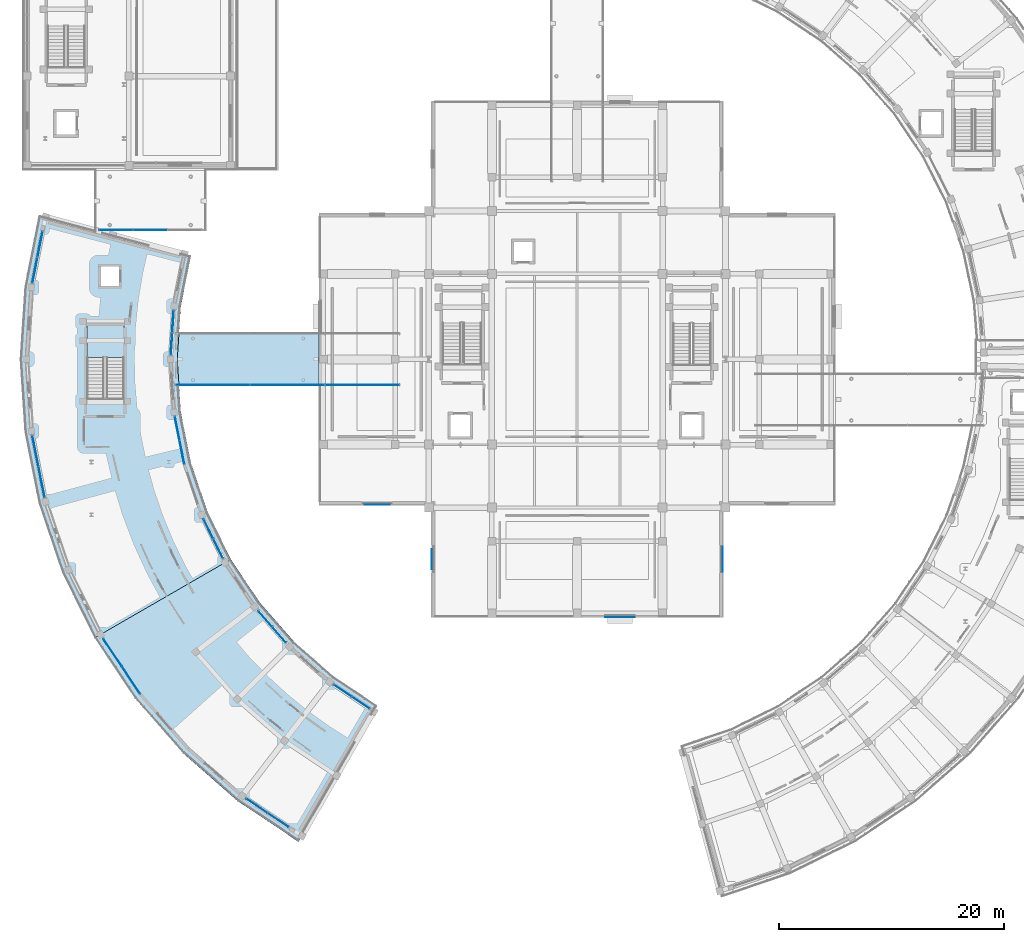
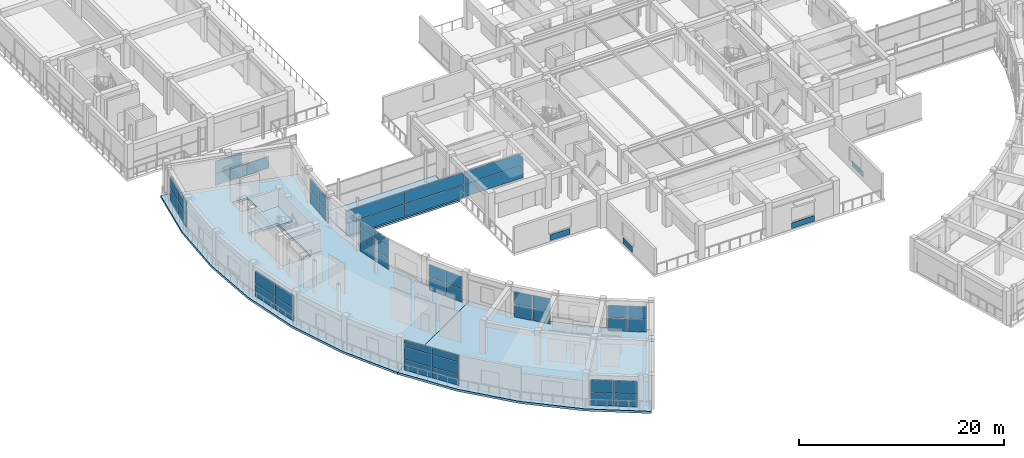
# One storey, part 38 of 70: 53 plates, 4 slabs, 12 elements without a shape of their own.
"""IFC4 building model written with IfcOpenShell, lengths in metres."""

import ifcopenshell
import ifcopenshell.guid

model = None  # the IFC model being written
_history = None  # IfcOwnerHistory: only IFC2X3 demands one
_inside = {}  # id of a spatial element -> (the spatial element, [elements in it])
_under = {}  # id of a project, library or spatial element -> (it, [spatial elements below it])
_declared = {}  # id of a project -> (the project, [libraries it declares])
_typed = {}  # id of a type object -> (the type object, [elements of that type])
_made_of = {}  # id of a material, layer set ... -> (it, [elements and type objects made of it])


def new_model(schema):
    """Start an empty IFC model of exactly this schema.

    Asked for "IFC4X3", IfcOpenShell would pick the latest addendum, in which some entities
    have other attributes; the version numbers below select the first issue.
    IFC2X3 requires an IfcOwnerHistory on every rooted entity: one is made here for all.
    """
    global model, _history
    if schema == "IFC4X3":
        model = ifcopenshell.file(schema_version=(4, 3, 0, 0))
    else:
        model = ifcopenshell.file(schema=schema)
    _inside.clear()
    _under.clear()
    _declared.clear()
    _typed.clear()
    _made_of.clear()
    _history = None
    if model.schema == "IFC2X3":
        org = make("IfcOrganization", Name="unknown")
        user = make(
            "IfcPersonAndOrganization",
            ThePerson=make("IfcPerson", FamilyName="unknown"),
            TheOrganization=org,
        )
        app = make(
            "IfcApplication",
            ApplicationDeveloper=org,
            Version="unknown",
            ApplicationFullName="unknown",
            ApplicationIdentifier="unknown",
        )
        _history = make(
            "IfcOwnerHistory",
            OwningUser=user,
            OwningApplication=app,
            ChangeAction="ADDED",
            CreationDate=0,
        )
    return model


def make(cls, **values):
    """One entity of the class cls with the attributes given. An attribute that is None is left unset."""
    return model.create_entity(
        cls, **{name: value for name, value in values.items() if value is not None}
    )


def rooted(cls, **values):
    """An entity with a GlobalId (a new one), such as an element, a storey or a relation."""
    return make(cls, GlobalId=ifcopenshell.guid.new(), OwnerHistory=_history, **values)


def si_unit(unit_type, name, prefix=None):
    """IfcSIUnit, for example si_unit("LENGTHUNIT", "METRE", prefix="MILLI")."""
    return make("IfcSIUnit", UnitType=unit_type, Prefix=prefix, Name=name)


def assignment(units):
    """IfcUnitAssignment: the units of a project."""
    return None if units is None else make("IfcUnitAssignment", Units=units)


def point(xyz):
    """IfcCartesianPoint."""
    return None if xyz is None else make("IfcCartesianPoint", Coordinates=xyz)


def direction(xyz):
    """IfcDirection."""
    return None if xyz is None else make("IfcDirection", DirectionRatios=xyz)


def frame(location, z_axis=None, x_axis=None):
    """IfcAxis2Placement3D, a coordinate frame: its origin and axes. An axis left out is left unset."""
    return make(
        "IfcAxis2Placement3D",
        Location=point(location),
        Axis=direction(z_axis),
        RefDirection=direction(x_axis),
    )


def frame_2d(location, x_axis=None):
    """IfcAxis2Placement2D, a coordinate frame in the plane: its origin and x axis."""
    return make(
        "IfcAxis2Placement2D", Location=point(location), RefDirection=direction(x_axis)
    )


def origin():
    """The frame at (0, 0, 0) with its axes left unset."""
    return frame((0.0, 0.0, 0.0))


def origin_2d():
    """The frame at (0, 0) in the plane with its x axis left unset."""
    return frame_2d((0.0, 0.0))


def place(relative_to, where):
    """IfcLocalPlacement: puts the frame where relative to a parent placement (None: the world)."""
    return make(
        "IfcLocalPlacement", PlacementRelTo=relative_to, RelativePlacement=where
    )


def context(
    kind, dimensions, precision=None, world=None, true_north=None, identifier=None
):
    """IfcGeometricRepresentationContext, for example the 3D "Model" context."""
    return make(
        "IfcGeometricRepresentationContext",
        ContextIdentifier=identifier,
        ContextType=kind,
        CoordinateSpaceDimension=dimensions,
        Precision=precision,
        WorldCoordinateSystem=world,
        TrueNorth=true_north,
    )


def subcontext(parent, identifier, kind, view, scale=None):
    """IfcGeometricRepresentationSubContext, for example "Body" below "Model"."""
    return make(
        "IfcGeometricRepresentationSubContext",
        ContextIdentifier=identifier,
        ContextType=kind,
        ParentContext=parent,
        TargetScale=scale,
        TargetView=view,
    )


def project(units=None, contexts=None):
    """IfcProject with its units and contexts."""
    return rooted(
        "IfcProject",
        Name="project",
        RepresentationContexts=contexts,
        UnitsInContext=assignment(units),
    )


def spatial(cls, under=None, at=None, **own):
    """A site, building, storey or space (cls), placed at a placement, below another one or the project."""
    s = rooted(cls, ObjectPlacement=at, **own)
    if under is not None:
        _under.setdefault(under.id(), (under, []))[1].append(s)
    return s


def polyline(points):
    """IfcPolyline through the points."""
    return make("IfcPolyline", Points=[point(p) for p in points])


def profile(cls, at=None, kind="AREA", **sizes):
    """A parametric profile (cls). Its sizes go by their IFC names, for example OverallWidth=200.0."""
    return make(cls, ProfileType=kind, Position=at, **sizes)


def rectangle(**sizes):
    """IfcRectangleProfileDef."""
    return profile("IfcRectangleProfileDef", **sizes)


def outline(outer, holes=None, kind="AREA"):
    """IfcArbitraryClosedProfileDef: a profile drawn as a closed curve; with holes, ...WithVoids."""
    if holes is None:
        return make("IfcArbitraryClosedProfileDef", ProfileType=kind, OuterCurve=outer)
    return make(
        "IfcArbitraryProfileDefWithVoids",
        ProfileType=kind,
        OuterCurve=outer,
        InnerCurves=holes,
    )


def extrude(swept, where, along, depth):
    """IfcExtrudedAreaSolid: the profile swept, set in the frame where, extruded along a direction by depth."""
    return make(
        "IfcExtrudedAreaSolid",
        SweptArea=swept,
        Position=where,
        ExtrudedDirection=direction(along),
        Depth=depth,
    )


def shape(context_of_items, identifier, shape_type, items):
    """IfcShapeRepresentation: the items that make up one representation, for example the "Body"."""
    return make(
        "IfcShapeRepresentation",
        ContextOfItems=context_of_items,
        RepresentationIdentifier=identifier,
        RepresentationType=shape_type,
        Items=items,
    )


def material(Name=None, Category=None):
    """IfcMaterial."""
    return make("IfcMaterial", Name=Name, Category=Category)


def layer(
    of_material, thickness, ventilated=None, Name=None, Category=None, Priority=None
):
    """IfcMaterialLayer: one layer of a wall or slab, of a material (None: an air gap)."""
    return make(
        "IfcMaterialLayer",
        Material=of_material,
        LayerThickness=thickness,
        IsVentilated=ventilated,
        Name=Name,
        Category=Category,
        Priority=Priority,
    )


def layer_set(layers, Name=None):
    """IfcMaterialLayerSet."""
    return make("IfcMaterialLayerSet", MaterialLayers=layers, LayerSetName=Name)


def made_of(thing, what):
    """Note that an element or type object is made of a material, layer set ...; save() writes the relation."""
    if what is not None:
        _made_of.setdefault(what.id(), (what, []))[1].append(thing)
    return thing


def type_object(cls, material=None, **own):
    """A type object (cls), such as IfcWallType, which elements share."""
    return made_of(rooted(cls, **own), material)


def element(
    cls,
    number,
    at=None,
    inside=None,
    cuts=None,
    type_object=None,
    material=None,
    context=None,
    identifier="Body",
    shape_type=None,
    held_by="IfcProductDefinitionShape",
    body=None,
    shapes=None,
    **own,
):
    """One element of the class cls, such as IfcWall. Its Tag is "e" and its number.

    at: its placement. inside: the storey or other place that contains it. cuts: it is an
    opening in that element (IfcRelVoidsElement). A single representation is given by context,
    identifier, shape_type and body (its items); several are given by shapes. held_by: the class
    of the entity that holds the representations. save() writes the other relations.
    """
    e = rooted(cls, Tag="e%d" % number, ObjectPlacement=at, **own)
    if body is not None:
        shapes = [shape(context, identifier, shape_type, body)]
    if shapes is not None:
        e.Representation = make(held_by, Representations=shapes)
    if inside is not None:
        _inside.setdefault(inside.id(), (inside, []))[1].append(e)
    if cuts is not None:
        rooted(
            "IfcRelVoidsElement", RelatingBuildingElement=cuts, RelatedOpeningElement=e
        )
    if type_object is not None:
        _typed.setdefault(type_object.id(), (type_object, []))[1].append(e)
    return made_of(e, material)


def aggregate(whole, parts):
    """IfcRelAggregates: a whole, such as a stair, and the parts it consists of."""
    return rooted("IfcRelAggregates", RelatingObject=whole, RelatedObjects=parts)


def save(model, path):
    """Write the relations noted so far, then the file.

    IfcRelAggregates (storeys below a building ...), IfcRelContainedInSpatialStructure (elements
    in a storey), IfcRelDefinesByType, IfcRelAssociatesMaterial and IfcRelDeclares: one each for
    every whole, place, type object, material and project.
    """
    for whole, parts in _under.values():
        aggregate(whole, parts)
    for where, things in _inside.values():
        rooted(
            "IfcRelContainedInSpatialStructure",
            RelatedElements=things,
            RelatingStructure=where,
        )
    for kind, things in _typed.values():
        rooted("IfcRelDefinesByType", RelatedObjects=things, RelatingType=kind)
    for what, things in _made_of.values():
        rooted("IfcRelAssociatesMaterial", RelatedObjects=things, RelatingMaterial=what)
    for by, libraries in _declared.values():
        rooted("IfcRelDeclares", RelatingContext=by, RelatedDefinitions=libraries)
    model.write(path)


model = new_model("IFC4")

# Units and contexts
model_context = context("Model", 3, precision=1e-05, world=origin(), true_north=direction((0.0, 1.0)))
body_context = subcontext(model_context, "Body", "Model", "MODEL_VIEW")
ifc_project = project(units=[si_unit("LENGTHUNIT", "METRE"), si_unit("AREAUNIT", "SQUARE_METRE"), si_unit("VOLUMEUNIT", "CUBIC_METRE"), si_unit("PLANEANGLEUNIT", "RADIAN"), si_unit("MASSUNIT", "GRAM", prefix="KILO")], contexts=[model_context])

# Site, building, storey
site_placement = place(None, origin())
site = spatial("IfcSite", under=ifc_project, at=site_placement, CompositionType="ELEMENT")
building_placement = place(site_placement, origin())
building = spatial("IfcBuilding", under=site, at=building_placement, Name="Saryqyr Civic Hall", CompositionType="ELEMENT")
storey_placement = place(building_placement, frame((0.0, 0.0, 13.199951171875)))
storey = spatial("IfcBuildingStorey", under=building, at=storey_placement, Name="L03", CompositionType="ELEMENT", Elevation=13.199951171875)

# Curtain wall, plates
ifc_material_1 = material(Name="Anodised aluminium and triple low-E glass", Category="aluminium")
curtain_wall_type_1 = type_object("IfcCurtainWallType", Name="ENV-CW-STD-28", PredefinedType="NOTDEFINED", material=ifc_material_1)
curtain_wall_1_placement = place(storey_placement, origin())
curtain_wall_1 = element("IfcCurtainWall", 1, at=curtain_wall_1_placement, inside=storey, type_object=curtain_wall_type_1, Name="Curtain wall V4-CWO-L03-00", PredefinedType="NOTDEFINED")
ifc_material_2 = material(Name="Triple low-E insulated glazing", Category="glass")
ifc_layer_1 = layer(ifc_material_2, 0.053955078125, Name="Triple low-E insulated glazing")
ifc_layer_set_1 = layer_set([ifc_layer_1], Name="Triple low-E insulated glazing")
plate_type_1 = type_object("IfcPlateType", Name="ENV-CW-PNL-38", PredefinedType="CURTAIN_PANEL", material=ifc_layer_set_1)
plate_1_placement = place(storey_placement, frame((8.722900390625, 91.92236328125, 0.06005859375), z_axis=(0.0, 0.0, 1.0), x_axis=(0.195097982764, 0.980783756555, 0.0)))
plate_1 = element("IfcPlate", 2, at=plate_1_placement, type_object=plate_type_1, Name="CW-28 panel 1.1", PredefinedType="CURTAIN_PANEL", context=body_context, shape_type="SweptSolid", body=[
    extrude(rectangle(XDim=2.299560546875, YDim=0.053955078125, at=origin_2d()), origin(), (0.0, 0.0, 1.0), 1.491943359375),
])
plate_2_placement = place(storey_placement, frame((8.722900390625, 91.92236328125, 1.6123046875), z_axis=(0.0, 0.0, 1.0), x_axis=(0.195097982764, 0.980783756555, 0.0)))
plate_2 = element("IfcPlate", 3, at=plate_2_placement, type_object=plate_type_1, Name="CW-28 panel 1.2", PredefinedType="CURTAIN_PANEL", context=body_context, shape_type="SweptSolid", body=[
    extrude(rectangle(XDim=2.299560546875, YDim=0.053955078125, at=origin_2d()), origin(), (0.0, 0.0, 1.0), 1.492919921875),
])
plate_3_placement = place(storey_placement, frame((9.18310546875, 94.236572265625, 0.06005859375), z_axis=(0.0, 0.0, 1.0), x_axis=(0.195097982764, 0.980783756555, 0.0)))
plate_3 = element("IfcPlate", 4, at=plate_3_placement, type_object=plate_type_1, Name="CW-28 panel 2.1", PredefinedType="CURTAIN_PANEL", context=body_context, shape_type="SweptSolid", body=[
    extrude(rectangle(XDim=2.299560546875, YDim=0.053955078125, at=origin_2d()), origin(), (0.0, 0.0, 1.0), 1.491943359375),
])
plate_4_placement = place(storey_placement, frame((9.18310546875, 94.236572265625, 1.6123046875), z_axis=(0.0, 0.0, 1.0), x_axis=(0.195097982764, 0.980783756555, 0.0)))
plate_4 = element("IfcPlate", 5, at=plate_4_placement, type_object=plate_type_1, Name="CW-28 panel 2.2", PredefinedType="CURTAIN_PANEL", context=body_context, shape_type="SweptSolid", body=[
    extrude(rectangle(XDim=2.299560546875, YDim=0.053955078125, at=origin_2d()), origin(), (0.0, 0.0, 1.0), 1.492919921875),
])
aggregate(curtain_wall_1, [plate_1, plate_2, plate_3, plate_4])

curtain_wall_type_2 = type_object("IfcCurtainWallType", Name="ENV-CW-STD-21", PredefinedType="NOTDEFINED", material=ifc_material_1)
curtain_wall_2_placement = place(storey_placement, origin())
curtain_wall_2 = element("IfcCurtainWall", 6, at=curtain_wall_2_placement, inside=storey, type_object=curtain_wall_type_2, Name="Curtain wall V4-CWI-L03-01", PredefinedType="NOTDEFINED")
plate_5_placement = place(storey_placement, frame((21.020263671875, 87.35888671875, 0.06005859375), z_axis=(0.0, 0.0, 1.0), x_axis=(-0.065397404214, -0.997859298459, 0.0)))
plate_5 = element("IfcPlate", 7, at=plate_5_placement, type_object=plate_type_1, Name="CW-21 panel 1.1", PredefinedType="CURTAIN_PANEL", context=body_context, shape_type="SweptSolid", body=[
    extrude(rectangle(XDim=1.936767578125, YDim=0.053955078125, at=origin_2d()), origin(), (0.0, 0.0, 1.0), 1.491943359375),
])
plate_6_placement = place(storey_placement, frame((21.020263671875, 87.35888671875, 1.6123046875), z_axis=(0.0, 0.0, 1.0), x_axis=(-0.065397404214, -0.997859298459, 0.0)))
plate_6 = element("IfcPlate", 8, at=plate_6_placement, type_object=plate_type_1, Name="CW-21 panel 1.2", PredefinedType="CURTAIN_PANEL", context=body_context, shape_type="SweptSolid", body=[
    extrude(rectangle(XDim=1.936767578125, YDim=0.053955078125, at=origin_2d()), origin(), (0.0, 0.0, 1.0), 1.492919921875),
])
plate_7_placement = place(storey_placement, frame((20.8896484375, 85.3662109375, 0.06005859375), z_axis=(0.0, 0.0, 1.0), x_axis=(-0.065397404214, -0.997859298459, 0.0)))
plate_7 = element("IfcPlate", 9, at=plate_7_placement, type_object=plate_type_1, Name="CW-21 panel 2.1", PredefinedType="CURTAIN_PANEL", context=body_context, shape_type="SweptSolid", body=[
    extrude(rectangle(XDim=1.936767578125, YDim=0.053955078125, at=origin_2d()), origin(), (0.0, 0.0, 1.0), 1.491943359375),
])
plate_8_placement = place(storey_placement, frame((20.8896484375, 85.3662109375, 1.6123046875), z_axis=(0.0, 0.0, 1.0), x_axis=(-0.065397404214, -0.997859298459, 0.0)))
plate_8 = element("IfcPlate", 10, at=plate_8_placement, type_object=plate_type_1, Name="CW-21 panel 2.2", PredefinedType="CURTAIN_PANEL", context=body_context, shape_type="SweptSolid", body=[
    extrude(rectangle(XDim=1.936767578125, YDim=0.053955078125, at=origin_2d()), origin(), (0.0, 0.0, 1.0), 1.492919921875),
])
aggregate(curtain_wall_2, [plate_5, plate_6, plate_7, plate_8])

curtain_wall_type_3 = type_object("IfcCurtainWallType", Name="ENV-CW-STD-23", PredefinedType="NOTDEFINED", material=ifc_material_1)
curtain_wall_3_placement = place(storey_placement, origin())
curtain_wall_3 = element("IfcCurtainWall", 11, at=curtain_wall_3_placement, inside=storey, type_object=curtain_wall_type_3, Name="Curtain wall V4-CWO-L03-03", PredefinedType="NOTDEFINED")
plate_9_placement = place(storey_placement, frame((9.3203125, 73.07421875, 0.06005859375), z_axis=(0.0, 0.0, 1.0), x_axis=(-0.195096648646, 0.980784021937, 0.0)))
plate_9 = element("IfcPlate", 12, at=plate_9_placement, type_object=plate_type_1, Name="CW-23 panel 1.1", PredefinedType="CURTAIN_PANEL", context=body_context, shape_type="SweptSolid", body=[
    extrude(rectangle(XDim=2.76806640625, YDim=0.053955078125, at=origin_2d()), origin(), (0.0, 0.0, 1.0), 1.491943359375),
])
plate_10_placement = place(storey_placement, frame((9.3203125, 73.07421875, 1.6123046875), z_axis=(0.0, 0.0, 1.0), x_axis=(-0.195096648646, 0.980784021937, 0.0)))
plate_10 = element("IfcPlate", 13, at=plate_10_placement, type_object=plate_type_1, Name="CW-23 panel 1.2", PredefinedType="CURTAIN_PANEL", context=body_context, shape_type="SweptSolid", body=[
    extrude(rectangle(XDim=2.76806640625, YDim=0.053955078125, at=origin_2d()), origin(), (0.0, 0.0, 1.0), 1.492919921875),
])
plate_11_placement = place(storey_placement, frame((8.7685546875, 75.847900390625, 0.06005859375), z_axis=(0.0, 0.0, 1.0), x_axis=(-0.195096648646, 0.980784021937, 0.0)))
plate_11 = element("IfcPlate", 14, at=plate_11_placement, type_object=plate_type_1, Name="CW-23 panel 2.1", PredefinedType="CURTAIN_PANEL", context=body_context, shape_type="SweptSolid", body=[
    extrude(rectangle(XDim=2.76806640625, YDim=0.053955078125, at=origin_2d()), origin(), (0.0, 0.0, 1.0), 1.491943359375),
])
plate_12_placement = place(storey_placement, frame((8.7685546875, 75.847900390625, 1.6123046875), z_axis=(0.0, 0.0, 1.0), x_axis=(-0.195096648646, 0.980784021937, 0.0)))
plate_12 = element("IfcPlate", 15, at=plate_12_placement, type_object=plate_type_1, Name="CW-23 panel 2.2", PredefinedType="CURTAIN_PANEL", context=body_context, shape_type="SweptSolid", body=[
    extrude(rectangle(XDim=2.76806640625, YDim=0.053955078125, at=origin_2d()), origin(), (0.0, 0.0, 1.0), 1.492919921875),
])
aggregate(curtain_wall_3, [plate_9, plate_10, plate_11, plate_12])

curtain_wall_type_4 = type_object("IfcCurtainWallType", Name="ENV-CW-STD-24", PredefinedType="NOTDEFINED", material=ifc_material_1)
curtain_wall_4_placement = place(storey_placement, origin())
curtain_wall_4 = element("IfcCurtainWall", 16, at=curtain_wall_4_placement, inside=storey, type_object=curtain_wall_type_4, Name="Curtain wall V4-CWI-L03-03", PredefinedType="NOTDEFINED")
plate_13_placement = place(storey_placement, frame((21.394287109375, 77.84423828125, 0.06005859375), z_axis=(0.0, 0.0, 1.0), x_axis=(0.195099394084, -0.980783475813, 0.0)))
plate_13 = element("IfcPlate", 17, at=plate_13_placement, type_object=plate_type_1, Name="CW-24 panel 1.1", PredefinedType="CURTAIN_PANEL", context=body_context, shape_type="SweptSolid", body=[
    extrude(rectangle(XDim=2.104248046875, YDim=0.053955078125, at=origin_2d()), origin(), (0.0, 0.0, 1.0), 1.241943359375),
])
plate_14_placement = place(storey_placement, frame((21.394287109375, 77.84423828125, 1.362060546875), z_axis=(0.0, 0.0, 1.0), x_axis=(0.195099394084, -0.980783475813, 0.0)))
plate_14 = element("IfcPlate", 18, at=plate_14_placement, type_object=plate_type_1, Name="CW-24 panel 1.2", PredefinedType="CURTAIN_PANEL", context=body_context, shape_type="SweptSolid", body=[
    extrude(rectangle(XDim=2.104248046875, YDim=0.053955078125, at=origin_2d()), origin(), (0.0, 0.0, 1.0), 1.419921875),
])
plate_15_placement = place(storey_placement, frame((21.394287109375, 77.84423828125, 2.841796875), z_axis=(0.0, 0.0, 1.0), x_axis=(0.195099394084, -0.980783475813, 0.0)))
plate_15 = element("IfcPlate", 19, at=plate_15_placement, type_object=plate_type_1, Name="CW-24 panel 1.3", PredefinedType="CURTAIN_PANEL", context=body_context, shape_type="SweptSolid", body=[
    extrude(rectangle(XDim=2.104248046875, YDim=0.053955078125, at=origin_2d()), origin(), (0.0, 0.0, 1.0), 0.798095703125),
])
plate_16_placement = place(storey_placement, frame((21.81640625, 75.7216796875, 0.06005859375), z_axis=(0.0, 0.0, 1.0), x_axis=(0.195099394084, -0.980783475813, 0.0)))
plate_16 = element("IfcPlate", 20, at=plate_16_placement, type_object=plate_type_1, Name="CW-24 panel 2.1", PredefinedType="CURTAIN_PANEL", context=body_context, shape_type="SweptSolid", body=[
    extrude(rectangle(XDim=2.104248046875, YDim=0.053955078125, at=origin_2d()), origin(), (0.0, 0.0, 1.0), 1.241943359375),
])
plate_17_placement = place(storey_placement, frame((21.81640625, 75.7216796875, 1.362060546875), z_axis=(0.0, 0.0, 1.0), x_axis=(0.195099394084, -0.980783475813, 0.0)))
plate_17 = element("IfcPlate", 21, at=plate_17_placement, type_object=plate_type_1, Name="CW-24 panel 2.2", PredefinedType="CURTAIN_PANEL", context=body_context, shape_type="SweptSolid", body=[
    extrude(rectangle(XDim=2.104248046875, YDim=0.053955078125, at=origin_2d()), origin(), (0.0, 0.0, 1.0), 1.419921875),
])
plate_18_placement = place(storey_placement, frame((21.81640625, 75.7216796875, 2.841796875), z_axis=(0.0, 0.0, 1.0), x_axis=(0.195099394084, -0.980783475813, 0.0)))
plate_18 = element("IfcPlate", 22, at=plate_18_placement, type_object=plate_type_1, Name="CW-24 panel 2.3", PredefinedType="CURTAIN_PANEL", context=body_context, shape_type="SweptSolid", body=[
    extrude(rectangle(XDim=2.104248046875, YDim=0.053955078125, at=origin_2d()), origin(), (0.0, 0.0, 1.0), 0.798095703125),
])
aggregate(curtain_wall_4, [plate_13, plate_14, plate_15, plate_16, plate_17, plate_18])

curtain_wall_5_placement = place(storey_placement, origin())
curtain_wall_5 = element("IfcCurtainWall", 23, at=curtain_wall_5_placement, inside=storey, type_object=curtain_wall_type_2, Name="Curtain wall V4-CWI-L03-05", PredefinedType="NOTDEFINED")
plate_19_placement = place(storey_placement, frame((24.169677734375, 68.901611328125, 0.06005859375), z_axis=(0.0, 0.0, 1.0), x_axis=(0.44226837931, -0.896882757479, 0.0)))
plate_19 = element("IfcPlate", 24, at=plate_19_placement, type_object=plate_type_1, Name="CW-21 panel 1.1", PredefinedType="CURTAIN_PANEL", context=body_context, shape_type="SweptSolid", body=[
    extrude(rectangle(XDim=1.8984375, YDim=0.053955078125, at=origin_2d()), origin(), (0.0, 0.0, 1.0), 1.491943359375),
])
plate_20_placement = place(storey_placement, frame((24.169677734375, 68.901611328125, 1.6123046875), z_axis=(0.0, 0.0, 1.0), x_axis=(0.44226837931, -0.896882757479, 0.0)))
plate_20 = element("IfcPlate", 25, at=plate_20_placement, type_object=plate_type_1, Name="CW-21 panel 1.2", PredefinedType="CURTAIN_PANEL", context=body_context, shape_type="SweptSolid", body=[
    extrude(rectangle(XDim=1.8984375, YDim=0.053955078125, at=origin_2d()), origin(), (0.0, 0.0, 1.0), 1.492919921875),
])
plate_21_placement = place(storey_placement, frame((25.035888671875, 67.145263671875, 0.06005859375), z_axis=(0.0, 0.0, 1.0), x_axis=(0.44226837931, -0.896882757479, 0.0)))
plate_21 = element("IfcPlate", 26, at=plate_21_placement, type_object=plate_type_1, Name="CW-21 panel 2.1", PredefinedType="CURTAIN_PANEL", context=body_context, shape_type="SweptSolid", body=[
    extrude(rectangle(XDim=1.8984375, YDim=0.053955078125, at=origin_2d()), origin(), (0.0, 0.0, 1.0), 1.491943359375),
])
plate_22_placement = place(storey_placement, frame((25.035888671875, 67.145263671875, 1.6123046875), z_axis=(0.0, 0.0, 1.0), x_axis=(0.44226837931, -0.896882757479, 0.0)))
plate_22 = element("IfcPlate", 27, at=plate_22_placement, type_object=plate_type_1, Name="CW-21 panel 2.2", PredefinedType="CURTAIN_PANEL", context=body_context, shape_type="SweptSolid", body=[
    extrude(rectangle(XDim=1.8984375, YDim=0.053955078125, at=origin_2d()), origin(), (0.0, 0.0, 1.0), 1.492919921875),
])
aggregate(curtain_wall_5, [plate_19, plate_20, plate_21, plate_22])

curtain_wall_type_5 = type_object("IfcCurtainWallType", Name="ENV-CW-STD-29", PredefinedType="NOTDEFINED", material=ifc_material_1)
curtain_wall_6_placement = place(storey_placement, origin())
curtain_wall_6 = element("IfcCurtainWall", 28, at=curtain_wall_6_placement, inside=storey, type_object=curtain_wall_type_5, Name="Curtain wall V4-CWO-L03-06", PredefinedType="NOTDEFINED")
plate_23_placement = place(storey_placement, frame((17.283935546875, 55.430419921875, 0.06005859375), z_axis=(0.0, 0.0, 1.0), x_axis=(-0.555565200724, 0.831472974753, 0.0)))
plate_23 = element("IfcPlate", 29, at=plate_23_placement, type_object=plate_type_1, Name="CW-29 panel 1.1", PredefinedType="CURTAIN_PANEL", context=body_context, shape_type="SweptSolid", body=[
    extrude(rectangle(XDim=2.91015625, YDim=0.053955078125, at=origin_2d()), origin(), (0.0, 0.0, 1.0), 1.241943359375),
])
plate_24_placement = place(storey_placement, frame((17.283935546875, 55.430419921875, 1.362060546875), z_axis=(0.0, 0.0, 1.0), x_axis=(-0.555565200724, 0.831472974753, 0.0)))
plate_24 = element("IfcPlate", 30, at=plate_24_placement, type_object=plate_type_1, Name="CW-29 panel 1.2", PredefinedType="CURTAIN_PANEL", context=body_context, shape_type="SweptSolid", body=[
    extrude(rectangle(XDim=2.91015625, YDim=0.053955078125, at=origin_2d()), origin(), (0.0, 0.0, 1.0), 1.419921875),
])
plate_25_placement = place(storey_placement, frame((17.283935546875, 55.430419921875, 2.841796875), z_axis=(0.0, 0.0, 1.0), x_axis=(-0.555565200724, 0.831472974753, 0.0)))
plate_25 = element("IfcPlate", 31, at=plate_25_placement, type_object=plate_type_1, Name="CW-29 panel 1.3", PredefinedType="CURTAIN_PANEL", context=body_context, shape_type="SweptSolid", body=[
    extrude(rectangle(XDim=2.91015625, YDim=0.053955078125, at=origin_2d()), origin(), (0.0, 0.0, 1.0), 0.798095703125),
])
plate_26_placement = place(storey_placement, frame((15.6337890625, 57.900146484375, 0.06005859375), z_axis=(0.0, 0.0, 1.0), x_axis=(-0.555565200724, 0.831472974753, 0.0)))
plate_26 = element("IfcPlate", 32, at=plate_26_placement, type_object=plate_type_1, Name="CW-29 panel 2.1", PredefinedType="CURTAIN_PANEL", context=body_context, shape_type="SweptSolid", body=[
    extrude(rectangle(XDim=2.91015625, YDim=0.053955078125, at=origin_2d()), origin(), (0.0, 0.0, 1.0), 1.241943359375),
])
plate_27_placement = place(storey_placement, frame((15.6337890625, 57.900146484375, 1.362060546875), z_axis=(0.0, 0.0, 1.0), x_axis=(-0.555565200724, 0.831472974753, 0.0)))
plate_27 = element("IfcPlate", 33, at=plate_27_placement, type_object=plate_type_1, Name="CW-29 panel 2.2", PredefinedType="CURTAIN_PANEL", context=body_context, shape_type="SweptSolid", body=[
    extrude(rectangle(XDim=2.91015625, YDim=0.053955078125, at=origin_2d()), origin(), (0.0, 0.0, 1.0), 1.419921875),
])
plate_28_placement = place(storey_placement, frame((15.6337890625, 57.900146484375, 2.841796875), z_axis=(0.0, 0.0, 1.0), x_axis=(-0.555565200724, 0.831472974753, 0.0)))
plate_28 = element("IfcPlate", 34, at=plate_28_placement, type_object=plate_type_1, Name="CW-29 panel 2.3", PredefinedType="CURTAIN_PANEL", context=body_context, shape_type="SweptSolid", body=[
    extrude(rectangle(XDim=2.91015625, YDim=0.053955078125, at=origin_2d()), origin(), (0.0, 0.0, 1.0), 0.798095703125),
])
aggregate(curtain_wall_6, [plate_23, plate_24, plate_25, plate_26, plate_27, plate_28])

curtain_wall_type_6 = type_object("IfcCurtainWallType", Name="ENV-CW-STD-27", PredefinedType="NOTDEFINED", material=ifc_material_1)
curtain_wall_7_placement = place(storey_placement, origin())
curtain_wall_7 = element("IfcCurtainWall", 35, at=curtain_wall_7_placement, inside=storey, type_object=curtain_wall_type_6, Name="Curtain wall V4-CWI-L03-07", PredefinedType="NOTDEFINED")
plate_29_placement = place(storey_placement, frame((29.22021484375, 60.8916015625, 0.06005859375), z_axis=(0.0, 0.0, 1.0), x_axis=(0.65933402319, -0.751850148543, 0.0)))
plate_29 = element("IfcPlate", 36, at=plate_29_placement, type_object=plate_type_1, Name="CW-27 panel 1.1", PredefinedType="CURTAIN_PANEL", context=body_context, shape_type="SweptSolid", body=[
    extrude(rectangle(XDim=1.825439453125, YDim=0.053955078125, at=origin_2d()), origin(), (0.0, 0.0, 1.0), 1.491943359375),
])
plate_30_placement = place(storey_placement, frame((29.22021484375, 60.8916015625, 1.6123046875), z_axis=(0.0, 0.0, 1.0), x_axis=(0.65933402319, -0.751850148543, 0.0)))
plate_30 = element("IfcPlate", 37, at=plate_30_placement, type_object=plate_type_1, Name="CW-27 panel 1.2", PredefinedType="CURTAIN_PANEL", context=body_context, shape_type="SweptSolid", body=[
    extrude(rectangle(XDim=1.825439453125, YDim=0.053955078125, at=origin_2d()), origin(), (0.0, 0.0, 1.0), 1.492919921875),
])
plate_31_placement = place(storey_placement, frame((30.463134765625, 59.47412109375, 0.06005859375), z_axis=(0.0, 0.0, 1.0), x_axis=(0.65933402319, -0.751850148543, 0.0)))
plate_31 = element("IfcPlate", 38, at=plate_31_placement, type_object=plate_type_1, Name="CW-27 panel 2.1", PredefinedType="CURTAIN_PANEL", context=body_context, shape_type="SweptSolid", body=[
    extrude(rectangle(XDim=1.825439453125, YDim=0.053955078125, at=origin_2d()), origin(), (0.0, 0.0, 1.0), 1.491943359375),
])
plate_32_placement = place(storey_placement, frame((30.463134765625, 59.47412109375, 1.6123046875), z_axis=(0.0, 0.0, 1.0), x_axis=(0.65933402319, -0.751850148543, 0.0)))
plate_32 = element("IfcPlate", 39, at=plate_32_placement, type_object=plate_type_1, Name="CW-27 panel 2.2", PredefinedType="CURTAIN_PANEL", context=body_context, shape_type="SweptSolid", body=[
    extrude(rectangle(XDim=1.825439453125, YDim=0.053955078125, at=origin_2d()), origin(), (0.0, 0.0, 1.0), 1.492919921875),
])
aggregate(curtain_wall_7, [plate_29, plate_30, plate_31, plate_32])

curtain_wall_type_7 = type_object("IfcCurtainWallType", Name="ENV-CW-STD-30", PredefinedType="NOTDEFINED", material=ifc_material_1)
curtain_wall_8_placement = place(storey_placement, origin())
curtain_wall_8 = element("IfcCurtainWall", 40, at=curtain_wall_8_placement, inside=storey, type_object=curtain_wall_type_7, Name="Curtain wall V4-CWO-L03-09", PredefinedType="NOTDEFINED")
plate_33_placement = place(storey_placement, frame((30.37890625, 42.98193359375, 0.06005859375), z_axis=(0.0, 0.0, 1.0), x_axis=(-0.831477026903, 0.555559136126, 0.0)))
plate_33 = element("IfcPlate", 41, at=plate_33_placement, type_object=plate_type_1, Name="CW-30 panel 1.1", PredefinedType="CURTAIN_PANEL", context=body_context, shape_type="SweptSolid", body=[
    extrude(rectangle(XDim=2.2197265625, YDim=0.053955078125, at=origin_2d()), origin(), (0.0, 0.0, 1.0), 1.491943359375),
])
plate_34_placement = place(storey_placement, frame((30.37890625, 42.98193359375, 1.6123046875), z_axis=(0.0, 0.0, 1.0), x_axis=(-0.831477026903, 0.555559136126, 0.0)))
plate_34 = element("IfcPlate", 42, at=plate_34_placement, type_object=plate_type_1, Name="CW-30 panel 1.2", PredefinedType="CURTAIN_PANEL", context=body_context, shape_type="SweptSolid", body=[
    extrude(rectangle(XDim=2.2197265625, YDim=0.053955078125, at=origin_2d()), origin(), (0.0, 0.0, 1.0), 1.492919921875),
])
plate_35_placement = place(storey_placement, frame((28.4833984375, 44.24853515625, 0.06005859375), z_axis=(0.0, 0.0, 1.0), x_axis=(-0.831477026903, 0.555559136126, 0.0)))
plate_35 = element("IfcPlate", 43, at=plate_35_placement, type_object=plate_type_1, Name="CW-30 panel 2.1", PredefinedType="CURTAIN_PANEL", context=body_context, shape_type="SweptSolid", body=[
    extrude(rectangle(XDim=2.2197265625, YDim=0.053955078125, at=origin_2d()), origin(), (0.0, 0.0, 1.0), 1.491943359375),
])
plate_36_placement = place(storey_placement, frame((28.4833984375, 44.24853515625, 1.6123046875), z_axis=(0.0, 0.0, 1.0), x_axis=(-0.831477026903, 0.555559136126, 0.0)))
plate_36 = element("IfcPlate", 44, at=plate_36_placement, type_object=plate_type_1, Name="CW-30 panel 2.2", PredefinedType="CURTAIN_PANEL", context=body_context, shape_type="SweptSolid", body=[
    extrude(rectangle(XDim=2.2197265625, YDim=0.053955078125, at=origin_2d()), origin(), (0.0, 0.0, 1.0), 1.492919921875),
])
aggregate(curtain_wall_8, [plate_33, plate_34, plate_35, plate_36])

curtain_wall_type_8 = type_object("IfcCurtainWallType", Name="ENV-CW-STD-25", PredefinedType="NOTDEFINED", material=ifc_material_1)
curtain_wall_9_placement = place(storey_placement, origin())
curtain_wall_9 = element("IfcCurtainWall", 45, at=curtain_wall_9_placement, inside=storey, type_object=curtain_wall_type_8, Name="Curtain wall V4-CWI-L03-09", PredefinedType="NOTDEFINED")
plate_37_placement = place(storey_placement, frame((36.129638671875, 54.5009765625, 0.06005859375), z_axis=(0.0, 0.0, 1.0), x_axis=(0.831480397179, -0.555554091972, 0.0)))
plate_37 = element("IfcPlate", 46, at=plate_37_placement, type_object=plate_type_1, Name="CW-25 panel 1.1", PredefinedType="CURTAIN_PANEL", context=body_context, shape_type="SweptSolid", body=[
    extrude(rectangle(XDim=1.86865234375, YDim=0.053955078125, at=origin_2d()), origin(), (0.0, 0.0, 1.0), 1.491943359375),
])
plate_38_placement = place(storey_placement, frame((36.129638671875, 54.5009765625, 1.6123046875), z_axis=(0.0, 0.0, 1.0), x_axis=(0.831480397179, -0.555554091972, 0.0)))
plate_38 = element("IfcPlate", 47, at=plate_38_placement, type_object=plate_type_1, Name="CW-25 panel 1.2", PredefinedType="CURTAIN_PANEL", context=body_context, shape_type="SweptSolid", body=[
    extrude(rectangle(XDim=1.86865234375, YDim=0.053955078125, at=origin_2d()), origin(), (0.0, 0.0, 1.0), 1.492919921875),
])
plate_39_placement = place(storey_placement, frame((37.733154296875, 53.429443359375, 0.06005859375), z_axis=(0.0, 0.0, 1.0), x_axis=(0.831480397179, -0.555554091972, 0.0)))
plate_39 = element("IfcPlate", 48, at=plate_39_placement, type_object=plate_type_1, Name="CW-25 panel 2.1", PredefinedType="CURTAIN_PANEL", context=body_context, shape_type="SweptSolid", body=[
    extrude(rectangle(XDim=1.86865234375, YDim=0.053955078125, at=origin_2d()), origin(), (0.0, 0.0, 1.0), 1.491943359375),
])
plate_40_placement = place(storey_placement, frame((37.733154296875, 53.429443359375, 1.6123046875), z_axis=(0.0, 0.0, 1.0), x_axis=(0.831480397179, -0.555554091972, 0.0)))
plate_40 = element("IfcPlate", 49, at=plate_40_placement, type_object=plate_type_1, Name="CW-25 panel 2.2", PredefinedType="CURTAIN_PANEL", context=body_context, shape_type="SweptSolid", body=[
    extrude(rectangle(XDim=1.86865234375, YDim=0.053955078125, at=origin_2d()), origin(), (0.0, 0.0, 1.0), 1.492919921875),
])
aggregate(curtain_wall_9, [plate_37, plate_38, plate_39, plate_40])

curtain_wall_type_9 = type_object("IfcCurtainWallType", Name="ENV-CW-STD-84", PredefinedType="NOTDEFINED", material=ifc_material_1)
curtain_wall_10_placement = place(storey_placement, origin())
curtain_wall_10 = element("IfcCurtainWall", 50, at=curtain_wall_10_placement, inside=storey, type_object=curtain_wall_type_9, Name="Curtain wall BR-NW-CW1-L03", PredefinedType="NOTDEFINED")
plate_41_placement = place(storey_placement, frame((19.0, 95.52001953125, 0.06005859375), z_axis=(0.0, 0.0, 1.0), x_axis=(-1.0, 0.0, 0.0)))
plate_41 = element("IfcPlate", 51, at=plate_41_placement, type_object=plate_type_1, Name="CW-84 panel 2.1", PredefinedType="CURTAIN_PANEL", context=body_context, shape_type="SweptSolid", body=[
    extrude(rectangle(XDim=3.006591796875, YDim=0.053955078125, at=origin_2d()), origin(), (0.0, 0.0, 1.0), 1.4169921875),
])
plate_42_placement = place(storey_placement, frame((15.9482421875, 95.52001953125, 0.06005859375), z_axis=(0.0, 0.0, 1.0), x_axis=(-1.0, 0.0, 0.0)))
plate_42 = element("IfcPlate", 52, at=plate_42_placement, type_object=plate_type_1, Name="CW-84 panel 3.1", PredefinedType="CURTAIN_PANEL", context=body_context, shape_type="SweptSolid", body=[
    extrude(rectangle(XDim=2.9765625, YDim=0.053955078125, at=origin_2d()), origin(), (0.0, 0.0, 1.0), 1.4169921875),
])
plate_43_placement = place(storey_placement, frame((15.9482421875, 95.52001953125, 1.537109375), z_axis=(0.0, 0.0, 1.0), x_axis=(-1.0, 0.0, 0.0)))
plate_43 = element("IfcPlate", 53, at=plate_43_placement, type_object=plate_type_1, Name="CW-84 panel 3.2", PredefinedType="CURTAIN_PANEL", context=body_context, shape_type="SweptSolid", body=[
    extrude(rectangle(XDim=2.9765625, YDim=0.053955078125, at=origin_2d()), origin(), (0.0, 0.0, 1.0), 1.41796875),
])
aggregate(curtain_wall_10, [plate_41, plate_42, plate_43])

curtain_wall_type_10 = type_object("IfcCurtainWallType", Name="ENV-CW-STD-86", PredefinedType="NOTDEFINED", material=ifc_material_1)
curtain_wall_11_placement = place(storey_placement, origin())
curtain_wall_11 = element("IfcCurtainWall", 54, at=curtain_wall_11_placement, inside=storey, type_object=curtain_wall_type_10, Name="Curtain wall BR-CW-CW1-L03", PredefinedType="NOTDEFINED")
plate_44_placement = place(storey_placement, frame((37.8515625, 81.719970703125, 0.06005859375), z_axis=(0.0, 0.0, 1.0), x_axis=(-1.0, 0.0, 0.0)))
plate_44 = element("IfcPlate", 55, at=plate_44_placement, type_object=plate_type_1, Name="CW-86 panel 1.1", PredefinedType="CURTAIN_PANEL", context=body_context, shape_type="SweptSolid", body=[
    extrude(rectangle(XDim=6.57666015625, YDim=0.053955078125, at=origin_2d()), origin(), (0.0, 0.0, 1.0), 1.4599609375),
])
plate_45_placement = place(storey_placement, frame((37.8515625, 81.719970703125, 1.580078125), z_axis=(0.0, 0.0, 1.0), x_axis=(-1.0, 0.0, 0.0)))
plate_45 = element("IfcPlate", 56, at=plate_45_placement, type_object=plate_type_1, Name="CW-86 panel 1.2", PredefinedType="CURTAIN_PANEL", context=body_context, shape_type="SweptSolid", body=[
    extrude(rectangle(XDim=6.57666015625, YDim=0.053955078125, at=origin_2d()), origin(), (0.0, 0.0, 1.0), 1.4599609375),
])
plate_46_placement = place(storey_placement, frame((31.199951171875, 81.719970703125, 0.06005859375), z_axis=(0.0, 0.0, 1.0), x_axis=(-1.0, 0.0, 0.0)))
plate_46 = element("IfcPlate", 57, at=plate_46_placement, type_object=plate_type_1, Name="CW-86 panel 2.1", PredefinedType="CURTAIN_PANEL", context=body_context, shape_type="SweptSolid", body=[
    extrude(rectangle(XDim=6.606689453125, YDim=0.053955078125, at=origin_2d()), origin(), (0.0, 0.0, 1.0), 1.4599609375),
])
plate_47_placement = place(storey_placement, frame((31.199951171875, 81.719970703125, 1.580078125), z_axis=(0.0, 0.0, 1.0), x_axis=(-1.0, 0.0, 0.0)))
plate_47 = element("IfcPlate", 58, at=plate_47_placement, type_object=plate_type_1, Name="CW-86 panel 2.2", PredefinedType="CURTAIN_PANEL", context=body_context, shape_type="SweptSolid", body=[
    extrude(rectangle(XDim=6.606689453125, YDim=0.053955078125, at=origin_2d()), origin(), (0.0, 0.0, 1.0), 1.4599609375),
])
plate_48_placement = place(storey_placement, frame((24.54833984375, 81.719970703125, 0.06005859375), z_axis=(0.0, 0.0, 1.0), x_axis=(-1.0, 0.0, 0.0)))
plate_48 = element("IfcPlate", 59, at=plate_48_placement, type_object=plate_type_1, Name="CW-86 panel 3.1", PredefinedType="CURTAIN_PANEL", context=body_context, shape_type="SweptSolid", body=[
    extrude(rectangle(XDim=6.57666015625, YDim=0.053955078125, at=origin_2d()), origin(), (0.0, 0.0, 1.0), 1.4599609375),
])
plate_49_placement = place(storey_placement, frame((24.54833984375, 81.719970703125, 1.580078125), z_axis=(0.0, 0.0, 1.0), x_axis=(-1.0, 0.0, 0.0)))
plate_49 = element("IfcPlate", 60, at=plate_49_placement, type_object=plate_type_1, Name="CW-86 panel 3.2", PredefinedType="CURTAIN_PANEL", context=body_context, shape_type="SweptSolid", body=[
    extrude(rectangle(XDim=6.57666015625, YDim=0.053955078125, at=origin_2d()), origin(), (0.0, 0.0, 1.0), 1.4599609375),
])
aggregate(curtain_wall_11, [plate_44, plate_45, plate_46, plate_47, plate_48, plate_49])

# Plates
ifc_material_3 = material(Name="Warm brushed brass-anodised aluminium", Category="aluminium")
ifc_layer_2 = layer(ifc_material_3, 0.008056640625, Name="Warm brushed brass-anodised aluminium")
ifc_layer_set_2 = layer_set([ifc_layer_2], Name="Warm brushed brass-anodised aluminium")
plate_type_2 = type_object("IfcPlateType", Name="ENV-PLT-BRASS-1", PredefinedType="SHEET", material=ifc_layer_set_2)
plate_50_placement = place(storey_placement, frame((44.052978515625, 66.199951171875, 0.080078125), z_axis=(0.0, 0.0, 1.0), x_axis=(0.0, 1.0, 0.0)))
element("IfcPlate", 61, at=plate_50_placement, inside=storey, type_object=plate_type_2, Name="Warm brass spandrel cladding sheet L03-00", PredefinedType="SHEET", context=body_context, shape_type="SweptSolid", body=[
    extrude(rectangle(XDim=1.800048828125, YDim=0.008056640625, at=origin_2d()), origin(), (0.0, 0.0, 1.0), 0.679931640625),
])
ifc_layer_3 = layer(ifc_material_3, 0.02001953125, Name="Warm brushed brass-anodised aluminium")
ifc_layer_set_3 = layer_set([ifc_layer_3], Name="Warm brushed brass-anodised aluminium")
plate_type_3 = type_object("IfcPlateType", Name="ENV-PLT-BRASS-2", PredefinedType="SHEET", material=ifc_layer_set_3)
for number, where, z_axis, x_axis, name in (
    (62, (39.199951171875, 71.047119140625, 0.080078125), (0.0, 0.0, 1.0), (-1.0, 0.0, 0.0), "Warm brass spandrel cladding sheet L03-01"),
    (63, (69.952880859375, 66.199951171875, 0.080078125), (0.0, 0.0, 1.0), (0.0, -1.0, 0.0), "Warm brass spandrel cladding sheet L03-10"),
):
    element("IfcPlate", number, at=place(storey_placement, frame(where, z_axis=z_axis, x_axis=x_axis)), inside=storey, type_object=plate_type_3, Name=name, PredefinedType="SHEET", context=body_context, shape_type="SweptSolid", body=[
        extrude(rectangle(XDim=2.199951171875, YDim=0.02001953125, at=origin_2d()), origin(), (0.0, 0.0, 1.0), 0.679931640625),
    ])
ifc_layer_4 = layer(ifc_material_3, 0.031982421875, Name="Warm brushed brass-anodised aluminium")
ifc_layer_set_4 = layer_set([ifc_layer_4], Name="Warm brushed brass-anodised aluminium")
plate_type_4 = type_object("IfcPlateType", Name="ENV-PLT-BRASS-3", PredefinedType="SHEET", material=ifc_layer_set_4)
plate_51_placement = place(storey_placement, frame((60.800048828125, 61.041015625, 0.080078125), z_axis=(0.0, 0.0, 1.0), x_axis=(-1.0, 0.0, 0.0)))
element("IfcPlate", 64, at=plate_51_placement, inside=storey, type_object=plate_type_4, Name="Warm brass spandrel cladding sheet L03-11", PredefinedType="SHEET", context=body_context, shape_type="SweptSolid", body=[
    extrude(rectangle(XDim=2.60009765625, YDim=0.031982421875, at=origin_2d()), origin(), (0.0, 0.0, 1.0), 0.679931640625),
])

# Slabs
ifc_material_4 = material(Name="Concrete C35/45", Category="concrete")
ifc_layer_5 = layer(ifc_material_4, 0.22998046875, Name="Concrete C35/45")
ifc_layer_set_5 = layer_set([ifc_layer_5], Name="Concrete C35/45")
slab_type_1 = type_object("IfcSlabType", Name="STR-SLB-FLR-230", PredefinedType="FLOOR", material=ifc_layer_set_5)
slab_1_placement = place(storey_placement, frame((0.0, 0.0, -0.22998046875)))
element("IfcSlab", 65, at=slab_1_placement, inside=storey, type_object=slab_type_1, Name="Slab SLB-BR-CW-L03", PredefinedType="FLOOR", context=body_context, shape_type="SweptSolid", body=[
    extrude(outline(polyline([(34.0, 86.39990234375), (34.0, 81.60009765625), (21.557373046875, 81.60009765625), (21.39990234375, 84.0), (21.557373046875, 86.39990234375), (34.0, 86.39990234375)])), origin(), (0.0, 0.0, 1.0), 0.22998046875),
])
ifc_layer_6 = layer(ifc_material_4, 0.260009765625, Name="Concrete C35/45")
ifc_layer_set_6 = layer_set([ifc_layer_6], Name="Concrete C35/45")
slab_type_2 = type_object("IfcSlabType", Name="STR-SLB-FLR-260", PredefinedType="FLOOR", material=ifc_layer_set_6)
slab_2_placement = place(storey_placement, frame((0.0, 0.0, -0.260009765625)))
element("IfcSlab", 66, at=slab_2_placement, inside=storey, type_object=slab_type_2, Name="Slab SLB-V4A-L03", PredefinedType="FLOOR", context=body_context, shape_type="SweptSolid", body=[
    extrude(outline(polyline([(21.70458984375, 88.646728515625), (21.39990234375, 84.0), (21.70458984375, 79.353271484375), (22.613037109375, 74.785888671875), (24.10986328125, 70.37646484375), (26.16943359375, 66.199951171875), (14.045166015625, 59.199951171875), (11.175537109375, 65.018798828125), (9.090087890625, 71.16259765625), (7.82421875, 77.52587890625), (7.39990234375, 84.0), (7.82421875, 90.47412109375), (9.090087890625, 96.83740234375), (22.613037109375, 93.214111328125), (21.70458984375, 88.646728515625)]), holes=[polyline([(16.64990234375, 87.0), (13.35009765625, 87.0), (13.35009765625, 80.550048828125), (16.64990234375, 80.550048828125), (16.64990234375, 87.0)]), polyline([(16.25, 92.300048828125), (14.550048828125, 92.300048828125), (14.550048828125, 90.5), (16.25, 90.5), (16.25, 92.300048828125)])]), origin(), (0.0, 0.0, 1.0), 0.260009765625),
])
slab_3_placement = place(storey_placement, frame((0.0, 0.0, -0.260009765625)))
element("IfcSlab", 67, at=slab_3_placement, inside=storey, type_object=slab_type_2, Name="Slab SLB-V4B-L03", PredefinedType="FLOOR", context=body_context, shape_type="SweptSolid", body=[
    extrude(outline(polyline([(28.756591796875, 62.328125), (31.826904296875, 58.826904296875), (35.328125, 55.756591796875), (39.199951171875, 53.16943359375), (32.199951171875, 41.045166015625), (26.805419921875, 44.649658203125), (21.927490234375, 48.927490234375), (17.649658203125, 53.805419921875), (14.045166015625, 59.199951171875), (26.16943359375, 66.199951171875), (28.756591796875, 62.328125)])), origin(), (0.0, 0.0, 1.0), 0.260009765625),
])

# Stair, slab
stair_type = type_object("IfcStairType", Name="INT-STR-ST-4", PredefinedType="HALF_TURN_STAIR", material=ifc_material_4)
stair_placement = place(storey_placement, origin())
stair = element("IfcStair", 68, at=stair_placement, inside=storey, type_object=stair_type, Name="L03 Protected Exit Stair ST-4", PredefinedType="HALF_TURN_STAIR")
ifc_layer_7 = layer(ifc_material_4, 0.199951171875, Name="Concrete C35/45")
ifc_layer_set_7 = layer_set([ifc_layer_7], Name="Concrete C35/45")
slab_type_3 = type_object("IfcSlabType", Name="STR-SLB-LND-200", PredefinedType="LANDING", material=ifc_layer_set_7)
slab_4_placement = place(storey_placement, frame((0.0, 0.0, 1.824951171875)))
slab_4 = element("IfcSlab", 69, at=slab_4_placement, type_object=slab_type_3, Name="ST-4 landing 1", PredefinedType="LANDING", context=body_context, shape_type="SweptSolid", body=[
    extrude(outline(polyline([(16.64990234375, 84.14990234375), (16.64990234375, 87.0), (13.35009765625, 87.0), (13.35009765625, 84.14990234375), (16.64990234375, 84.14990234375)])), origin(), (0.0, 0.0, 1.0), 0.2001953125),
])
aggregate(stair, [slab_4])

save(model, "model.ifc")
